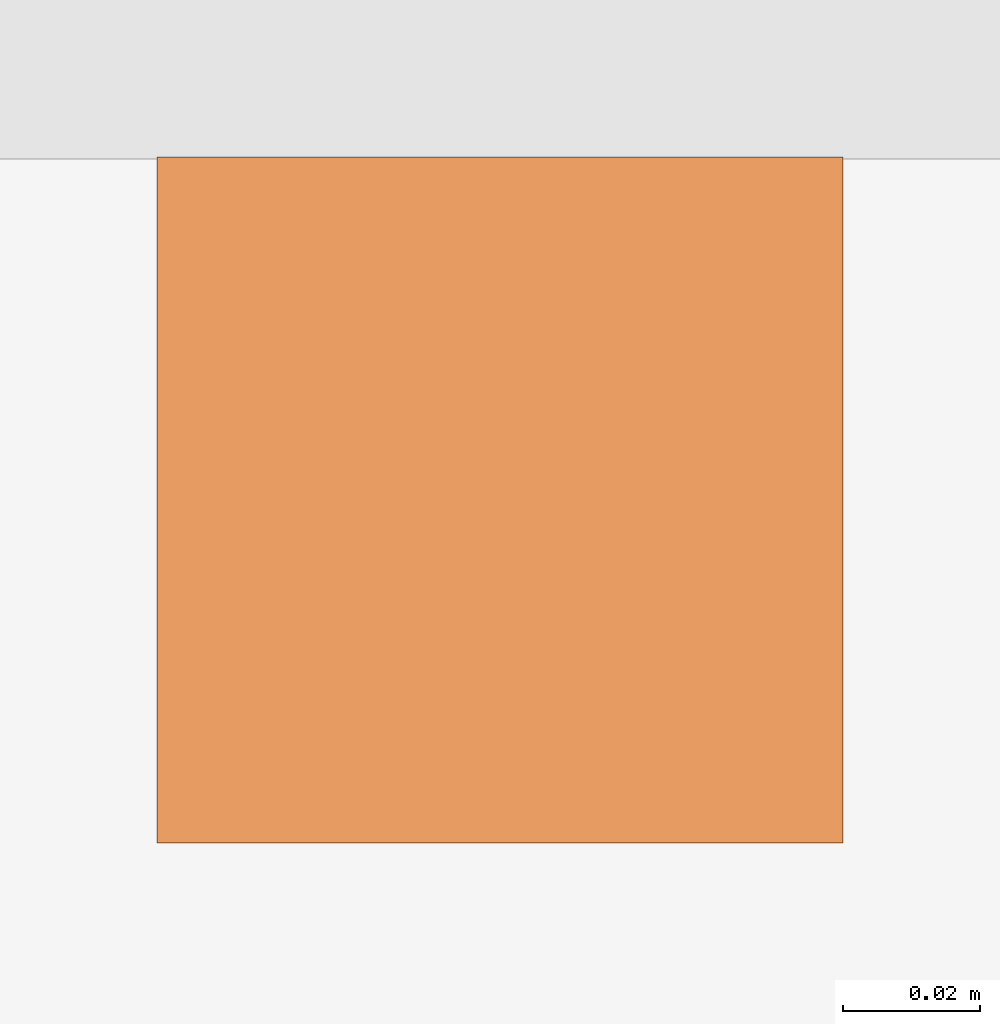
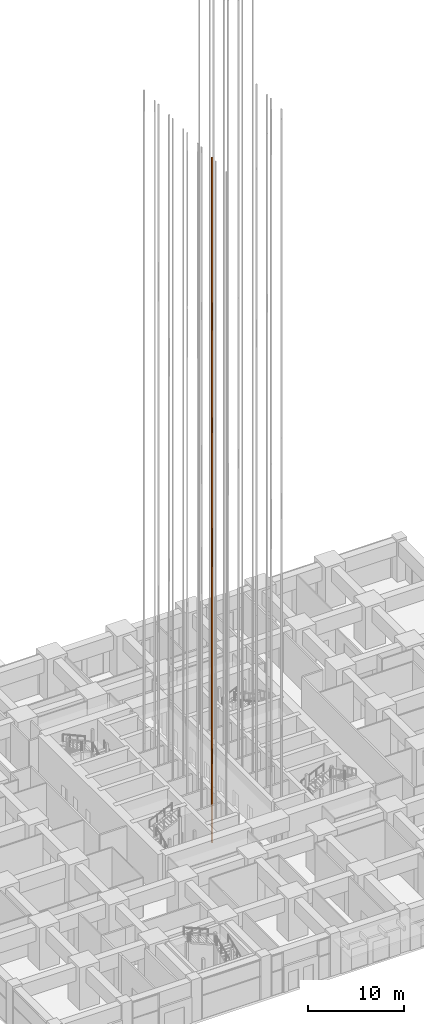
# One storey, part 60 of 81: 1 proxy.
"""IFC4 building model written with IfcOpenShell, lengths in metres."""

from ifc_helpers import new_model, si_unit, direction, frame, origin, origin_2d, place, context, subcontext, project, spatial, rectangle, extrude, material, type_object, element, save


model = new_model("IFC4")

# Units and contexts
model_context = context("Model", 3, precision=1e-05, world=origin(), true_north=direction((0.0, 1.0)))
body_context = subcontext(model_context, "Body", "Model", "MODEL_VIEW")
ifc_project = project(units=[si_unit("LENGTHUNIT", "METRE"), si_unit("AREAUNIT", "SQUARE_METRE"), si_unit("VOLUMEUNIT", "CUBIC_METRE"), si_unit("PLANEANGLEUNIT", "RADIAN"), si_unit("MASSUNIT", "GRAM", prefix="KILO")], contexts=[model_context])

# Site, building, storey
site_placement = place(None, origin())
site = spatial("IfcSite", under=ifc_project, at=site_placement, CompositionType="ELEMENT")
building_placement = place(site_placement, origin())
building = spatial("IfcBuilding", under=site, at=building_placement, Name="Rekha Terrace Tower", CompositionType="ELEMENT")
storey_placement = place(building_placement, origin())
storey = spatial("IfcBuildingStorey", under=building, at=storey_placement, Name="L00", CompositionType="ELEMENT", Elevation=0.0)

# Proxy
ifc_material = material(Name="Steel guide rail", Category="steel")
building_element_proxy_type = type_object("IfcBuildingElementProxyType", Name="LR1 100 lift guide rail", PredefinedType="ELEMENT", material=ifc_material)
proxy_placement = place(storey_placement, frame((34.5, 26.800048828125, 0.0), z_axis=(0.0, 0.0, 1.0), x_axis=(1.0, 0.0, 0.0)))
element("IfcBuildingElementProxy", 1, at=proxy_placement, inside=storey, type_object=building_element_proxy_type, Name="Lift A2 guide rail 1", PredefinedType="ELEMENT", context=body_context, shape_type="SweptSolid", body=[
    extrude(rectangle(XDim=0.10009765625, YDim=0.10009765625, at=origin_2d()), origin(), (0.0, 0.0, 1.0), 87.5),
])

save(model, "model.ifc")
